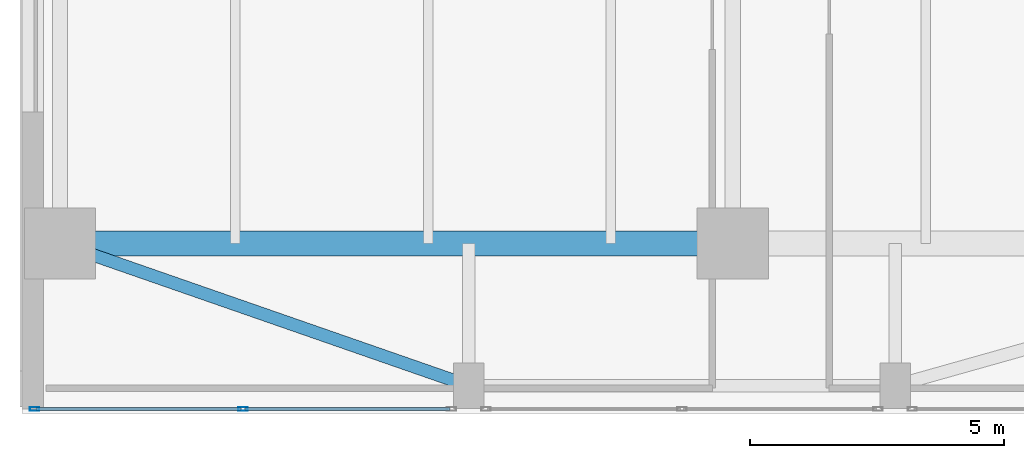
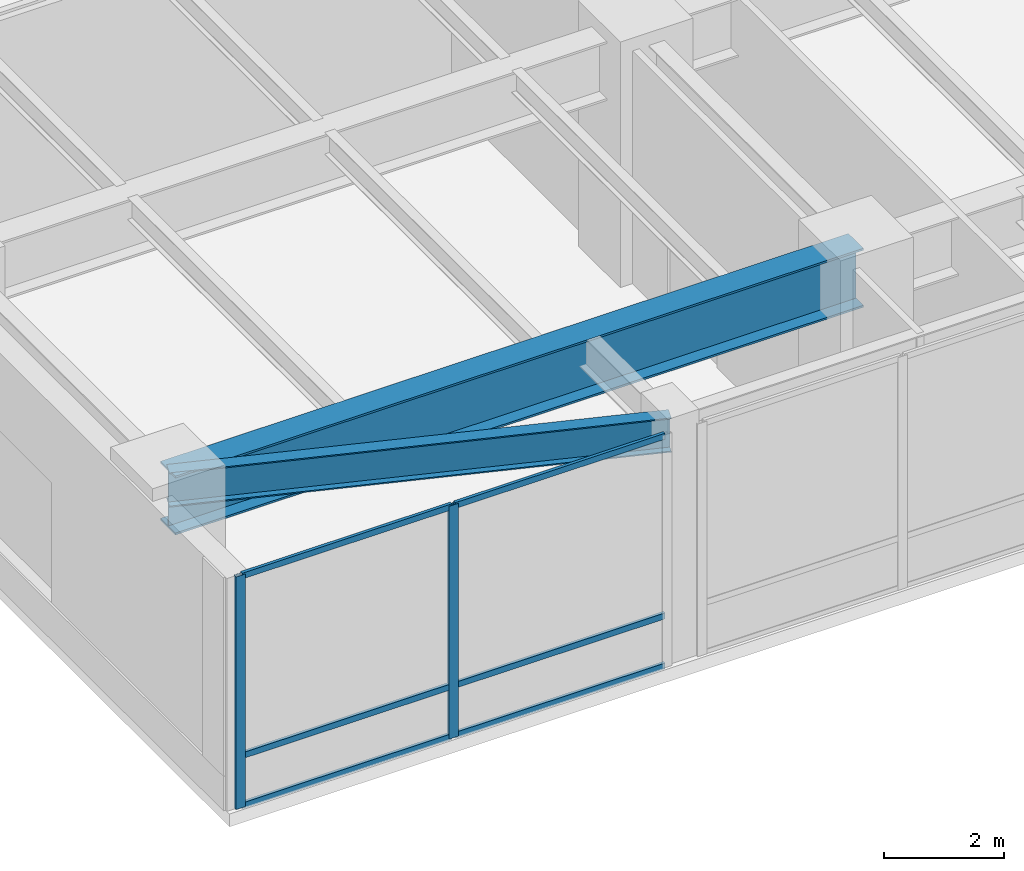
# One storey, part 2 of 39: 8 members, 2 beams, 1 element without a shape of its own.
"""IFC4 building model written with IfcOpenShell, lengths in metres."""

from ifc_helpers import new_model, si_unit, direction, frame, origin, origin_2d, place, context, subcontext, project, spatial, hollow_rectangle, i_section, extrude, source, transform, mapped, material, layer, layer_set, material_profile, profile_set, type_object, type_shapes, element, aggregate, save


model = new_model("IFC4")

# Units and contexts
model_context = context("Model", 3, precision=1e-05, world=origin(), true_north=direction((0.0, 1.0)))
body_context = subcontext(model_context, "Body", "Model", "MODEL_VIEW")
ifc_project = project(units=[si_unit("LENGTHUNIT", "METRE"), si_unit("AREAUNIT", "SQUARE_METRE"), si_unit("VOLUMEUNIT", "CUBIC_METRE"), si_unit("PLANEANGLEUNIT", "RADIAN"), si_unit("MASSUNIT", "GRAM", prefix="KILO")], contexts=[model_context])

# Site, building, storey
site_placement = place(None, origin())
site = spatial("IfcSite", under=ifc_project, at=site_placement, CompositionType="ELEMENT")
building_placement = place(site_placement, origin())
building = spatial("IfcBuilding", under=site, at=building_placement, Name="Tolvann Quenvar Hotel", CompositionType="ELEMENT")
storey_placement = place(building_placement, frame((0.0, 0.0, 11.0)))
storey = spatial("IfcBuildingStorey", under=building, at=storey_placement, Name="L02", CompositionType="ELEMENT", Elevation=11.0)

# Beams
ifc_material_1 = material(Name="Steel Grade 350", Category="steel")
ifc_material_profile_1 = material_profile(ifc_material_1, i_section(OverallWidth=0.5, OverallDepth=1.199951171875, WebThickness=0.01611328125, FlangeThickness=0.0400390625, at=origin_2d()), Name="1200WB455")
ifc_profile_set_1 = profile_set([ifc_material_profile_1], Name="Steel Grade 350")
beam_type_1 = type_object("IfcBeamType", Name="BM_TG_1200WB455", PredefinedType="USERDEFINED", material=ifc_profile_set_1)
shared_shape_1 = source(origin(), body_context, "Body", "SweptSolid", [
    extrude(i_section(OverallWidth=0.5, OverallDepth=1.199951171875, WebThickness=0.01611328125, FlangeThickness=0.0400390625, at=origin_2d()), origin(), (0.0, 0.0, 1.0), 13.25),
])
type_shapes(beam_type_1, [shared_shape_1])
beam_1_placement = place(storey_placement, frame((-7.64990234375, 0.85009765625, 4.139892578125), z_axis=(1.0, 0.0, 0.0), x_axis=(0.0, 1.0, 0.0)))
element("IfcBeam", 1, at=beam_1_placement, inside=storey, type_object=beam_type_1, Name="BM-L02-GW1-1", ObjectType="TRANSFER GIRDER", PredefinedType="USERDEFINED", context=body_context, shape_type="MappedRepresentation", body=[
    mapped(shared_shape_1, transform((0.0, 0.0, 0.0), x_axis=(1.0, 0.0, 0.0), y_axis=(0.0, 1.0, 0.0), z_axis=(0.0, 0.0, 1.0), scale=1.0)),
])
ifc_material_profile_2 = material_profile(ifc_material_1, i_section(OverallWidth=0.25, OverallDepth=0.699951171875, WebThickness=0.010009765625, FlangeThickness=0.02392578125, at=origin_2d()), Name="700WB150")
ifc_profile_set_2 = profile_set([ifc_material_profile_2], Name="Steel Grade 350")
beam_type_2 = type_object("IfcBeamType", Name="BM_GIRD_700WB150", PredefinedType="BEAM", material=ifc_profile_set_2)
shared_shape_2 = source(origin(), body_context, "Body", "SweptSolid", [
    extrude(i_section(OverallWidth=0.25, OverallDepth=0.699951171875, WebThickness=0.010009765625, FlangeThickness=0.02392578125, at=origin_2d()), origin(), (0.0, 0.0, 1.0), 8.52294921875),
])
type_shapes(beam_type_2, [shared_shape_2])
beam_2_placement = place(storey_placement, frame((-7.64990234375, 0.85009765625, 4.389892578125), z_axis=(0.944492545724, -0.328532846261, 0.0), x_axis=(0.328532846261, 0.944492545724, 0.0)))
element("IfcBeam", 2, at=beam_2_placement, inside=storey, type_object=beam_type_2, Name="BM-L02-EWS-W0", PredefinedType="BEAM", context=body_context, shape_type="MappedRepresentation", body=[
    mapped(shared_shape_2, transform((0.0, 0.0, 0.0), x_axis=(1.0, 0.0, 0.0), y_axis=(0.0, 1.0, 0.0), z_axis=(0.0, 0.0, 1.0), scale=1.0)),
])

# Curtain wall, members
ifc_material_2 = material(Name="Thermally broken anodised architectural aluminium 6063-T6 and laminated low-E glass", Category="aluminium")
ifc_layer = layer(ifc_material_2, 0.179931640625)
ifc_layer_set = layer_set([ifc_layer], Name="Thermally broken anodised architectural aluminium 6063-T6 and laminated low-E glass")
curtain_wall_type = type_object("IfcCurtainWallType", Name="CW_SYS_BALL_02", PredefinedType="USERDEFINED", material=ifc_layer_set)
curtain_wall_placement = place(storey_placement, origin())
curtain_wall = element("IfcCurtainWall", 3, at=curtain_wall_placement, inside=storey, type_object=curtain_wall_type, Name="Curtain Wall CW-BALL-02 (CWR-L02-E08-S1)", ObjectType="UNITISED CURTAIN WALL", PredefinedType="USERDEFINED")
ifc_material_3 = material(Name="Anodised architectural aluminium 6063-T6 framing", Category="aluminium")
ifc_material_profile_3 = material_profile(ifc_material_3, hollow_rectangle(XDim=0.070068359375, YDim=0.179931640625, WallThickness=0.00390625, at=origin_2d()), Name="180x70x4RHS")
ifc_profile_set_3 = profile_set([ifc_material_profile_3], Name="Anodised architectural aluminium 6063-T6 framing")
member_type_1 = type_object("IfcMemberType", Name="CW_MULL_180x70", PredefinedType="MULLION", material=ifc_profile_set_3)
shared_shape_3 = source(origin(), body_context, "Body", "SweptSolid", [
    extrude(hollow_rectangle(XDim=0.070068359375, YDim=0.179931640625, WallThickness=0.00390625, at=origin_2d()), origin(), (0.0, 0.0, 1.0), 4.739990234375),
])
type_shapes(member_type_1, [shared_shape_3])
member_1_placement = place(storey_placement, frame((-8.155029296875, -2.409912109375, 0.0), z_axis=(0.0, 0.0, 1.0), x_axis=(0.0, 1.0, 0.0)))
member_1 = element("IfcMember", 4, at=member_1_placement, type_object=member_type_1, Name="CW-BALL-02 mullion 1", PredefinedType="MULLION", context=body_context, shape_type="MappedRepresentation", body=[
    mapped(shared_shape_3, transform((0.0, 0.0, 0.0), x_axis=(1.0, 0.0, 0.0), y_axis=(0.0, 1.0, 0.0), z_axis=(0.0, 0.0, 1.0), scale=1.0)),
])
member_2_placement = place(storey_placement, frame((-4.047119140625, -2.409912109375, 0.0), z_axis=(0.0, 0.0, 1.0), x_axis=(0.0, 1.0, 0.0)))
member_2 = element("IfcMember", 5, at=member_2_placement, type_object=member_type_1, Name="CW-BALL-02 mullion 2", PredefinedType="MULLION", context=body_context, shape_type="MappedRepresentation", body=[
    mapped(shared_shape_3, transform((0.0, 0.0, 0.0), x_axis=(1.0, 0.0, 0.0), y_axis=(0.0, 1.0, 0.0), z_axis=(0.0, 0.0, 1.0), scale=1.0)),
])
ifc_material_profile_4 = material_profile(ifc_material_3, hollow_rectangle(XDim=0.06005859375, YDim=0.1201171875, WallThickness=0.00341796875, at=origin_2d()), Name="120x60x3.5RHS")
ifc_profile_set_4 = profile_set([ifc_material_profile_4], Name="Anodised architectural aluminium 6063-T6 framing")
member_type_2 = type_object("IfcMemberType", Name="CW_TRAN_120x60", PredefinedType="USERDEFINED", material=ifc_profile_set_4)
shared_shape_4 = source(origin(), body_context, "Body", "SweptSolid", [
    extrude(hollow_rectangle(XDim=0.06005859375, YDim=0.1201171875, WallThickness=0.00341796875, at=origin_2d()), origin(), (0.0, 0.0, 1.0), 4.0380859375),
])
member_3_placement = place(storey_placement, frame((-8.1201171875, -2.409912109375, 0.030029296875), z_axis=(1.0, 0.0, 0.0), x_axis=(0.0, 1.0, 0.0)))
member_3 = element("IfcMember", 6, at=member_3_placement, type_object=member_type_2, Name="CW-BALL-02 transom 1.1", ObjectType="TRANSOM", PredefinedType="USERDEFINED", context=body_context, shape_type="MappedRepresentation", body=[
    mapped(shared_shape_4, transform((0.0, 0.0, 0.0), x_axis=(1.0, 0.0, 0.0), y_axis=(0.0, 1.0, 0.0), z_axis=(0.0, 0.0, 1.0), scale=1.0)),
])
member_4_placement = place(storey_placement, frame((-8.1201171875, -2.409912109375, 1.050048828125), z_axis=(1.0, 0.0, 0.0), x_axis=(0.0, 1.0, 0.0)))
member_4 = element("IfcMember", 7, at=member_4_placement, type_object=member_type_2, Name="CW-BALL-02 transom 1.2", ObjectType="TRANSOM", PredefinedType="USERDEFINED", context=body_context, shape_type="MappedRepresentation", body=[
    mapped(shared_shape_4, transform((0.0, 0.0, 0.0), x_axis=(1.0, 0.0, 0.0), y_axis=(0.0, 1.0, 0.0), z_axis=(0.0, 0.0, 1.0), scale=1.0)),
])
member_5_placement = place(storey_placement, frame((-8.1201171875, -2.409912109375, 4.7099609375), z_axis=(1.0, 0.0, 0.0), x_axis=(0.0, 1.0, 0.0)))
member_5 = element("IfcMember", 8, at=member_5_placement, type_object=member_type_2, Name="CW-BALL-02 transom 1.3", ObjectType="TRANSOM", PredefinedType="USERDEFINED", context=body_context, shape_type="MappedRepresentation", body=[
    mapped(shared_shape_4, transform((0.0, 0.0, 0.0), x_axis=(1.0, 0.0, 0.0), y_axis=(0.0, 1.0, 0.0), z_axis=(0.0, 0.0, 1.0), scale=1.0)),
])
shared_shape_5 = source(origin(), body_context, "Body", "SweptSolid", [
    extrude(hollow_rectangle(XDim=0.06005859375, YDim=0.1201171875, WallThickness=0.00341796875, at=origin_2d()), origin(), (0.0, 0.0, 1.0), 4.037841796875),
])
type_shapes(member_type_2, [shared_shape_4, shared_shape_5])
member_6_placement = place(storey_placement, frame((-4.011962890625, -2.409912109375, 0.030029296875), z_axis=(1.0, 0.0, 0.0), x_axis=(0.0, 1.0, 0.0)))
member_6 = element("IfcMember", 9, at=member_6_placement, type_object=member_type_2, Name="CW-BALL-02 transom 2.1", ObjectType="TRANSOM", PredefinedType="USERDEFINED", context=body_context, shape_type="MappedRepresentation", body=[
    mapped(shared_shape_5, transform((0.0, 0.0, 0.0), x_axis=(1.0, 0.0, 0.0), y_axis=(0.0, 1.0, 0.0), z_axis=(0.0, 0.0, 1.0), scale=1.0)),
])
member_7_placement = place(storey_placement, frame((-4.011962890625, -2.409912109375, 1.050048828125), z_axis=(1.0, 0.0, 0.0), x_axis=(0.0, 1.0, 0.0)))
member_7 = element("IfcMember", 10, at=member_7_placement, type_object=member_type_2, Name="CW-BALL-02 transom 2.2", ObjectType="TRANSOM", PredefinedType="USERDEFINED", context=body_context, shape_type="MappedRepresentation", body=[
    mapped(shared_shape_5, transform((0.0, 0.0, 0.0), x_axis=(1.0, 0.0, 0.0), y_axis=(0.0, 1.0, 0.0), z_axis=(0.0, 0.0, 1.0), scale=1.0)),
])
member_8_placement = place(storey_placement, frame((-4.011962890625, -2.409912109375, 4.7099609375), z_axis=(1.0, 0.0, 0.0), x_axis=(0.0, 1.0, 0.0)))
member_8 = element("IfcMember", 11, at=member_8_placement, type_object=member_type_2, Name="CW-BALL-02 transom 2.3", ObjectType="TRANSOM", PredefinedType="USERDEFINED", context=body_context, shape_type="MappedRepresentation", body=[
    mapped(shared_shape_5, transform((0.0, 0.0, 0.0), x_axis=(1.0, 0.0, 0.0), y_axis=(0.0, 1.0, 0.0), z_axis=(0.0, 0.0, 1.0), scale=1.0)),
])
aggregate(curtain_wall, [member_1, member_2, member_3, member_4, member_5, member_6, member_7, member_8])

save(model, "model.ifc")
